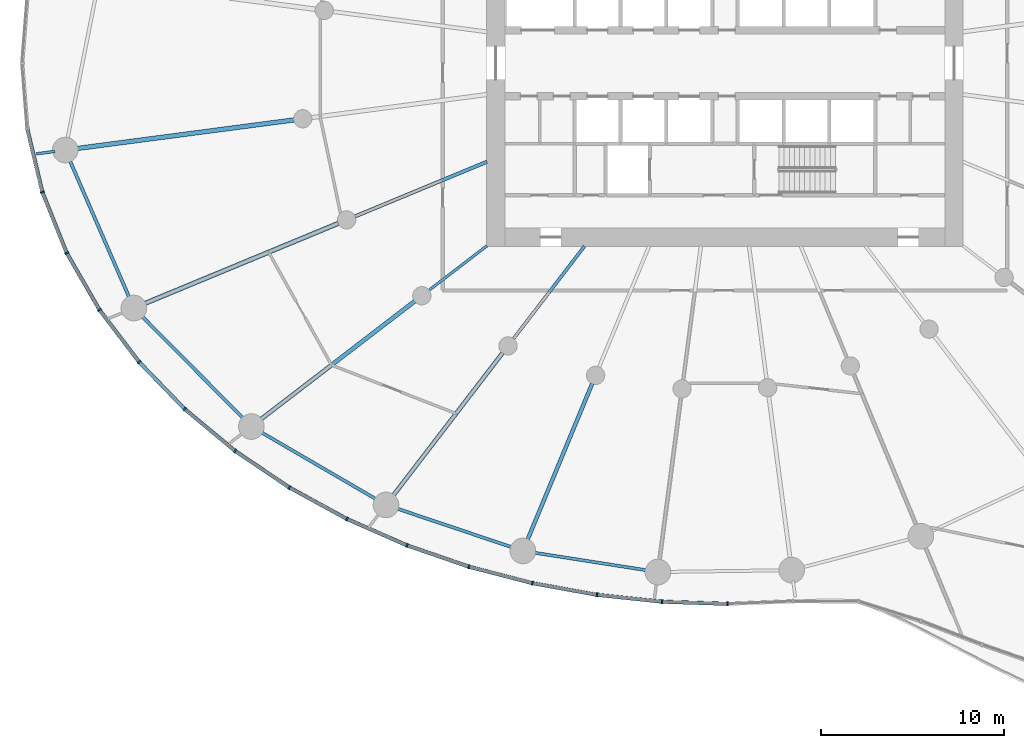
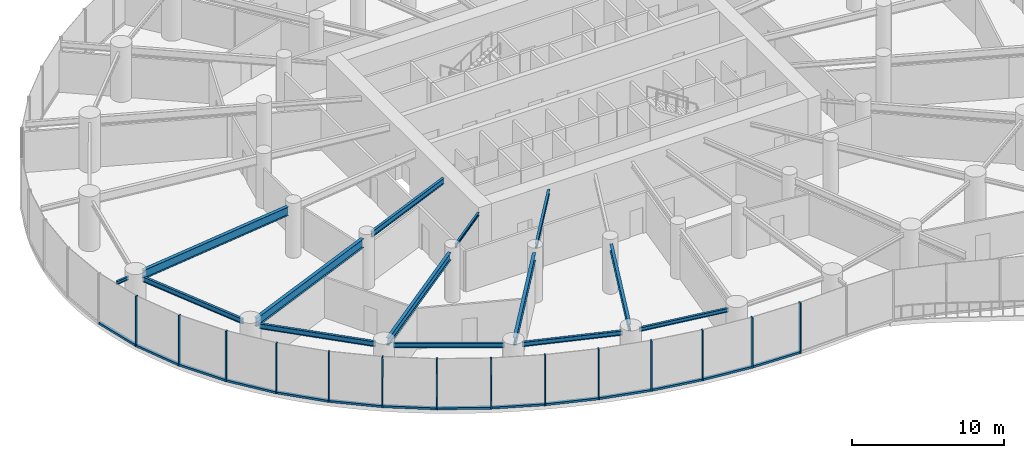
# One storey, part 2 of 24: 28 members, 14 beams, 3 elements without a shape of their own.
"""IFC4 building model written with IfcOpenShell, lengths in metres."""

from ifc_helpers import new_model, si_unit, direction, frame, origin, origin_2d, place, context, subcontext, project, spatial, rectangle, i_section, extrude, source, transform, mapped, material, layer, layer_set, material_profile, profile_set, type_object, element, aggregate, save


model = new_model("IFC4")

# Units and contexts
model_context = context("Model", 3, precision=1e-05, world=origin(), true_north=direction((0.0, 1.0)))
body_context = subcontext(model_context, "Body", "Model", "MODEL_VIEW")
ifc_project = project(units=[si_unit("LENGTHUNIT", "METRE"), si_unit("AREAUNIT", "SQUARE_METRE"), si_unit("VOLUMEUNIT", "CUBIC_METRE"), si_unit("PLANEANGLEUNIT", "RADIAN"), si_unit("MASSUNIT", "GRAM", prefix="KILO")], contexts=[model_context])

# Site, building, storey
site_placement = place(None, origin())
site = spatial("IfcSite", under=ifc_project, at=site_placement, CompositionType="ELEMENT")
building_placement = place(site_placement, origin())
building = spatial("IfcBuilding", under=site, at=building_placement, Name="Spindrift Exchange Tower", CompositionType="ELEMENT")
storey_placement = place(building_placement, frame((0.0, 0.0, 5.0)))
storey = spatial("IfcBuildingStorey", under=building, at=storey_placement, Name="L01", CompositionType="ELEMENT", Elevation=5.0)

# Beams
ifc_material_1 = material(Name="Steel Grade 300", Category="steel")
ifc_material_profile_1 = material_profile(ifc_material_1, i_section(OverallWidth=0.25, OverallDepth=0.699951171875, WebThickness=0.008056640625, FlangeThickness=0.011962890625, at=origin_2d()), Name="700WB115")
ifc_profile_set_1 = profile_set([ifc_material_profile_1], Name="Steel Grade 300")
beam_type_1 = type_object("IfcBeamType", Name="Floor Beam 700WB115 Steel Grade 300", PredefinedType="BEAM", material=ifc_profile_set_1)
shared_shape_1 = source(origin(), body_context, "Body", "SweptSolid", [
    extrude(i_section(OverallWidth=0.25, OverallDepth=0.699951171875, WebThickness=0.008056640625, FlangeThickness=0.011962890625, at=origin_2d()), origin(), (0.0, 0.0, 1.0), 12.00830078125),
])
beam_1_placement = place(storey_placement, frame((28.490234375, 44.90478515625, 3.699951171875), z_axis=(-0.991444950947, -0.130525511844, 0.0), x_axis=(0.130525511844, -0.991444950947, 0.0)))
element("IfcBeam", 1, at=beam_1_placement, inside=storey, type_object=beam_type_1, Name="L01 radial beam R13B", PredefinedType="BEAM", context=body_context, shape_type="MappedRepresentation", body=[
    mapped(shared_shape_1, transform((0.0, 0.0, 0.0), scale=1.0)),
])
ifc_material_profile_2 = material_profile(ifc_material_1, i_section(OverallWidth=0.18994140625, OverallDepth=0.45703125, WebThickness=0.009033203125, FlangeThickness=0.014404296875, FilletRadius=0.013916015625, at=origin_2d()), Name="460UB74.6")
ifc_profile_set_2 = profile_set([ifc_material_profile_2], Name="Steel Grade 300")
beam_type_2 = type_object("IfcBeamType", Name="Floor Beam 460UB74.6 Steel Grade 300", PredefinedType="BEAM", material=ifc_profile_set_2)
shared_shape_2 = source(origin(), body_context, "Body", "SweptSolid", [
    extrude(i_section(OverallWidth=0.18994140625, OverallDepth=0.45703125, WebThickness=0.009033203125, FlangeThickness=0.014404296875, FilletRadius=0.013916015625, at=origin_2d()), origin(), (0.0, 0.0, 1.0), 7.808837890625),
])
beam_2_placement = place(storey_placement, frame((39.0185546875, 42.622802734375, 3.821533203125), z_axis=(-0.92387965154, -0.382683145003, 0.0), x_axis=(0.382683145003, -0.92387965154, 0.0)))
element("IfcBeam", 2, at=beam_2_placement, inside=storey, type_object=beam_type_2, Name="L01 radial beam R14A", PredefinedType="BEAM", context=body_context, shape_type="MappedRepresentation", body=[
    mapped(shared_shape_2, transform((0.0, 0.0, 0.0), scale=1.0)),
])
shared_shape_3 = source(origin(), body_context, "Body", "SweptSolid", [
    extrude(i_section(OverallWidth=0.25, OverallDepth=0.699951171875, WebThickness=0.008056640625, FlangeThickness=0.011962890625, at=origin_2d()), origin(), (0.0, 0.0, 1.0), 11.505859375),
])
beam_3_placement = place(storey_placement, frame((30.917236328125, 39.26708984375, 3.699951171875), z_axis=(-0.923881578419, -0.38267849307, 0.0), x_axis=(0.38267849307, -0.923881578419, 0.0)))
element("IfcBeam", 3, at=beam_3_placement, inside=storey, type_object=beam_type_1, Name="L01 radial beam R14B", PredefinedType="BEAM", context=body_context, shape_type="MappedRepresentation", body=[
    mapped(shared_shape_3, transform((0.0, 0.0, 0.0), scale=1.0)),
])
ifc_material_profile_3 = material_profile(ifc_material_1, i_section(OverallWidth=0.14599609375, OverallDepth=0.251953125, WebThickness=0.006103515625, FlangeThickness=0.008544921875, FilletRadius=0.011962890625, at=origin_2d()), Name="250UB31.4")
ifc_profile_set_3 = profile_set([ifc_material_profile_3], Name="Steel Grade 300")
beam_type_3 = type_object("IfcBeamType", Name="Floor Beam 250UB31.4 Steel Grade 300", PredefinedType="BEAM", material=ifc_profile_set_3)
shared_shape_4 = source(origin(), body_context, "Body", "SweptSolid", [
    extrude(i_section(OverallWidth=0.14599609375, OverallDepth=0.251953125, WebThickness=0.006103515625, FlangeThickness=0.008544921875, FilletRadius=0.011962890625, at=origin_2d()), origin(), (0.0, 0.0, 1.0), 3.99560546875),
])
beam_4_placement = place(storey_placement, frame((39.015869140625, 38.036865234375, 3.924072265625), z_axis=(-0.793352561574, -0.608762443851, 0.0), x_axis=(0.608762443851, -0.793352561574, 0.0)))
element("IfcBeam", 4, at=beam_4_placement, inside=storey, type_object=beam_type_3, Name="L01 radial beam R15A", PredefinedType="BEAM", context=body_context, shape_type="MappedRepresentation", body=[
    mapped(shared_shape_4, transform((0.0, 0.0, 0.0), scale=1.0)),
])
ifc_material_profile_4 = material_profile(ifc_material_1, i_section(OverallWidth=0.22802734375, OverallDepth=0.60693359375, WebThickness=0.01123046875, FlangeThickness=0.017333984375, FilletRadius=0.013916015625, at=origin_2d()), Name="610UB113")
ifc_profile_set_4 = profile_set([ifc_material_profile_4], Name="Steel Grade 300")
beam_type_4 = type_object("IfcBeamType", Name="Floor Beam 610UB113 Steel Grade 300", PredefinedType="BEAM", material=ifc_profile_set_4)
shared_shape_5 = source(origin(), body_context, "Body", "SweptSolid", [
    extrude(i_section(OverallWidth=0.22802734375, OverallDepth=0.60693359375, WebThickness=0.01123046875, FlangeThickness=0.017333984375, FilletRadius=0.013916015625, at=origin_2d()), origin(), (0.0, 0.0, 1.0), 10.66357421875),
])
beam_5_placement = place(storey_placement, frame((35.08447265625, 35.020263671875, 3.74658203125), z_axis=(-0.793357926757, -0.608755451764, 0.0), x_axis=(0.608755451764, -0.793357926757, 0.0)))
element("IfcBeam", 5, at=beam_5_placement, inside=storey, type_object=beam_type_4, Name="L01 radial beam R15B", PredefinedType="BEAM", context=body_context, shape_type="MappedRepresentation", body=[
    mapped(shared_shape_5, transform((0.0, 0.0, 0.0), scale=1.0)),
])
ifc_material_profile_5 = material_profile(ifc_material_1, i_section(OverallWidth=0.172119140625, OverallDepth=0.35888671875, WebThickness=0.008056640625, FlangeThickness=0.012939453125, FilletRadius=0.013916015625, at=origin_2d()), Name="360UB56.7")
ifc_profile_set_5 = profile_set([ifc_material_profile_5], Name="Steel Grade 300")
beam_type_5 = type_object("IfcBeamType", Name="Floor Beam 360UB56.7 Steel Grade 300", PredefinedType="BEAM", material=ifc_profile_set_5)
shared_shape_6 = source(origin(), body_context, "Body", "SweptSolid", [
    extrude(i_section(OverallWidth=0.172119140625, OverallDepth=0.35888671875, WebThickness=0.008056640625, FlangeThickness=0.012939453125, FilletRadius=0.013916015625, at=origin_2d()), origin(), (0.0, 0.0, 1.0), 6.37646484375),
])
beam_6_placement = place(storey_placement, frame((44.3388671875, 38.015869140625, 3.87060546875), z_axis=(-0.608766669952, -0.793349318747, 0.0), x_axis=(0.793349318747, -0.608766669952, 0.0)))
element("IfcBeam", 6, at=beam_6_placement, inside=storey, type_object=beam_type_5, Name="L01 radial beam R16A", PredefinedType="BEAM", context=body_context, shape_type="MappedRepresentation", body=[
    mapped(shared_shape_6, transform((0.0, 0.0, 0.0), scale=1.0)),
])
shared_shape_7 = source(origin(), body_context, "Body", "SweptSolid", [
    extrude(i_section(OverallWidth=0.22802734375, OverallDepth=0.60693359375, WebThickness=0.01123046875, FlangeThickness=0.017333984375, FilletRadius=0.013916015625, at=origin_2d()), origin(), (0.0, 0.0, 1.0), 9.87548828125),
])
beam_7_placement = place(storey_placement, frame((39.872802734375, 32.1953125, 3.74658203125), z_axis=(-0.608772470836, -0.793344867477, 0.0), x_axis=(0.793344867477, -0.608772470836, 0.0)))
element("IfcBeam", 7, at=beam_7_placement, inside=storey, type_object=beam_type_4, Name="L01 radial beam R16B", PredefinedType="BEAM", context=body_context, shape_type="MappedRepresentation", body=[
    mapped(shared_shape_7, transform((0.0, 0.0, 0.0), scale=1.0)),
])
ifc_material_profile_6 = material_profile(ifc_material_1, i_section(OverallWidth=0.208984375, OverallDepth=0.532958984375, WebThickness=0.01025390625, FlangeThickness=0.015625, FilletRadius=0.013916015625, at=origin_2d()), Name="530UB92.4")
ifc_profile_set_6 = profile_set([ifc_material_profile_6], Name="Steel Grade 300")
beam_type_6 = type_object("IfcBeamType", Name="Floor Beam 530UB92.4 Steel Grade 300", PredefinedType="BEAM", material=ifc_profile_set_6)
shared_shape_8 = source(origin(), body_context, "Body", "SweptSolid", [
    extrude(i_section(OverallWidth=0.208984375, OverallDepth=0.532958984375, WebThickness=0.01025390625, FlangeThickness=0.015625, FilletRadius=0.013916015625, at=origin_2d()), origin(), (0.0, 0.0, 1.0), 9.309326171875),
])
beam_8_placement = place(storey_placement, frame((44.76171875, 30.525146484375, 3.783447265625), z_axis=(-0.382685326691, -0.923878747853, 0.0), x_axis=(0.923878747853, -0.382685326691, 0.0)))
element("IfcBeam", 8, at=beam_8_placement, inside=storey, type_object=beam_type_6, Name="L01 radial beam R17B", PredefinedType="BEAM", context=body_context, shape_type="MappedRepresentation", body=[
    mapped(shared_shape_8, transform((0.0, 0.0, 0.0), scale=1.0)),
])
ifc_material_profile_7 = material_profile(ifc_material_1, i_section(OverallWidth=0.14599609375, OverallDepth=0.251953125, WebThickness=0.006103515625, FlangeThickness=0.008544921875, FilletRadius=0.011962890625, at=origin_2d()), Name="250UB31.4")
ifc_profile_set_7 = profile_set([ifc_material_profile_7], Name="Steel Grade 300")
beam_type_7 = type_object("IfcBeamType", Name="Cantilever Beam 250UB31.4 Steel Grade 300", PredefinedType="BEAM", material=ifc_profile_set_7)
shared_shape_9 = source(origin(), body_context, "Body", "SweptSolid", [
    extrude(i_section(OverallWidth=0.14599609375, OverallDepth=0.251953125, WebThickness=0.006103515625, FlangeThickness=0.008544921875, FilletRadius=0.011962890625, at=origin_2d()), origin(), (0.0, 0.0, 1.0), 1.013427734375),
])
beam_9_placement = place(storey_placement, frame((15.4345703125, 43.18603515625, 3.924072265625), z_axis=(-0.991437065727, -0.130585392375, 0.0), x_axis=(0.130585392375, -0.991437065727, 0.0)))
element("IfcBeam", 9, at=beam_9_placement, inside=storey, type_object=beam_type_7, Name="L01 cantilever beam R13T", PredefinedType="BEAM", context=body_context, shape_type="MappedRepresentation", body=[
    mapped(shared_shape_9, transform((0.0, 0.0, 0.0), scale=1.0)),
])
ifc_material_profile_8 = material_profile(ifc_material_1, i_section(OverallWidth=0.177978515625, OverallDepth=0.406005859375, WebThickness=0.0078125, FlangeThickness=0.0126953125, FilletRadius=0.013916015625, at=origin_2d()), Name="410UB59.7")
ifc_profile_set_8 = profile_set([ifc_material_profile_8], Name="Steel Grade 300")
beam_type_8 = type_object("IfcBeamType", Name="Edge Beam 410UB59.7 Steel Grade 300", PredefinedType="SPANDREL", material=ifc_profile_set_8)
shared_shape_10 = source(origin(), body_context, "Body", "SweptSolid", [
    extrude(i_section(OverallWidth=0.177978515625, OverallDepth=0.406005859375, WebThickness=0.0078125, FlangeThickness=0.0126953125, FilletRadius=0.013916015625, at=origin_2d()), origin(), (0.0, 0.0, 1.0), 8.23681640625),
])
beam_10_placement = place(storey_placement, frame((16.240478515625, 42.729736328125, 3.846923828125), z_axis=(0.398186298756, -0.91730456855, 0.0), x_axis=(0.91730456855, 0.398186298756, 0.0)))
element("IfcBeam", 10, at=beam_10_placement, inside=storey, type_object=beam_type_8, Name="L01 edge beam E13", PredefinedType="SPANDREL", context=body_context, shape_type="MappedRepresentation", body=[
    mapped(shared_shape_10, transform((0.0, 0.0, 0.0), scale=1.0)),
])
shared_shape_11 = source(origin(), body_context, "Body", "SweptSolid", [
    extrude(i_section(OverallWidth=0.177978515625, OverallDepth=0.406005859375, WebThickness=0.0078125, FlangeThickness=0.0126953125, FilletRadius=0.013916015625, at=origin_2d()), origin(), (0.0, 0.0, 1.0), 7.947509765625),
])
beam_11_placement = place(storey_placement, frame((20.159423828125, 34.230224609375, 3.846923828125), z_axis=(0.704197895271, -0.710003749494, 0.0), x_axis=(0.710003749494, 0.704197895271, 0.0)))
element("IfcBeam", 11, at=beam_11_placement, inside=storey, type_object=beam_type_8, Name="L01 edge beam E14", PredefinedType="SPANDREL", context=body_context, shape_type="MappedRepresentation", body=[
    mapped(shared_shape_11, transform((0.0, 0.0, 0.0), scale=1.0)),
])
ifc_material_profile_9 = material_profile(ifc_material_1, i_section(OverallWidth=0.172119140625, OverallDepth=0.35888671875, WebThickness=0.008056640625, FlangeThickness=0.012939453125, FilletRadius=0.013916015625, at=origin_2d()), Name="360UB56.7")
ifc_profile_set_9 = profile_set([ifc_material_profile_9], Name="Steel Grade 300")
beam_type_9 = type_object("IfcBeamType", Name="Edge Beam 360UB56.7 Steel Grade 300", PredefinedType="SPANDREL", material=ifc_profile_set_9)
shared_shape_12 = source(origin(), body_context, "Body", "SweptSolid", [
    extrude(i_section(OverallWidth=0.172119140625, OverallDepth=0.35888671875, WebThickness=0.008056640625, FlangeThickness=0.012939453125, FilletRadius=0.013916015625, at=origin_2d()), origin(), (0.0, 0.0, 1.0), 7.33740234375),
])
beam_12_placement = place(storey_placement, frame((26.66552734375, 27.8837890625, 3.87060546875), z_axis=(0.864211826308, -0.503128134047, 0.0), x_axis=(0.503128134047, 0.864211826308, 0.0)))
element("IfcBeam", 12, at=beam_12_placement, inside=storey, type_object=beam_type_9, Name="L01 edge beam E15", PredefinedType="SPANDREL", context=body_context, shape_type="MappedRepresentation", body=[
    mapped(shared_shape_12, transform((0.0, 0.0, 0.0), scale=1.0)),
])
shared_shape_13 = source(origin(), body_context, "Body", "SweptSolid", [
    extrude(i_section(OverallWidth=0.172119140625, OverallDepth=0.35888671875, WebThickness=0.008056640625, FlangeThickness=0.012939453125, FilletRadius=0.013916015625, at=origin_2d()), origin(), (0.0, 0.0, 1.0), 6.72021484375),
])
beam_13_placement = place(storey_placement, frame((34.0576171875, 23.71533203125, 3.87060546875), z_axis=(0.947851749681, -0.318711563372, 0.0), x_axis=(0.318711563372, 0.947851749681, 0.0)))
element("IfcBeam", 13, at=beam_13_placement, inside=storey, type_object=beam_type_9, Name="L01 edge beam E16", PredefinedType="SPANDREL", context=body_context, shape_type="MappedRepresentation", body=[
    mapped(shared_shape_13, transform((0.0, 0.0, 0.0), scale=1.0)),
])
ifc_material_profile_10 = material_profile(ifc_material_1, i_section(OverallWidth=0.1650390625, OverallDepth=0.303955078125, WebThickness=0.006103515625, FlangeThickness=0.01025390625, FilletRadius=0.011474609375, at=origin_2d()), Name="310UB40.4")
ifc_profile_set_10 = profile_set([ifc_material_profile_10], Name="Steel Grade 300")
beam_type_10 = type_object("IfcBeamType", Name="Edge Beam 310UB40.4 Steel Grade 300", PredefinedType="SPANDREL", material=ifc_profile_set_10)
shared_shape_14 = source(origin(), body_context, "Body", "SweptSolid", [
    extrude(i_section(OverallWidth=0.1650390625, OverallDepth=0.303955078125, WebThickness=0.006103515625, FlangeThickness=0.01025390625, FilletRadius=0.011474609375, at=origin_2d()), origin(), (0.0, 0.0, 1.0), 6.297119140625),
])
beam_14_placement = place(storey_placement, frame((41.55029296875, 21.29931640625, 3.89794921875), z_axis=(0.98802902915, -0.154268070436, 0.0), x_axis=(0.154268070436, 0.98802902915, 0.0)))
element("IfcBeam", 14, at=beam_14_placement, inside=storey, type_object=beam_type_10, Name="L01 edge beam E17", PredefinedType="SPANDREL", context=body_context, shape_type="MappedRepresentation", body=[
    mapped(shared_shape_14, transform((0.0, 0.0, 0.0), scale=1.0)),
])

# Curtain wall, members
ifc_material_2 = material(Name="Fritted laminated glass with bronze frame", Category="glass")
ifc_layer = layer(ifc_material_2, 0.219970703125)
ifc_layer_set = layer_set([ifc_layer], Name="PODIUM BRONZE GLAZED WALL")
curtain_wall_type = type_object("IfcCurtainWallType", Name="PODIUM BRONZE GLAZED WALL", PredefinedType="NOTDEFINED", material=ifc_layer_set)
curtain_wall_1_placement = place(storey_placement, origin())
curtain_wall_1 = element("IfcCurtainWall", 15, at=curtain_wall_1_placement, inside=storey, type_object=curtain_wall_type, Name="L01 Podium Bronze Glazed Wall run 7", PredefinedType="NOTDEFINED")
ifc_material_3 = material(Name="Bronze anodised aluminium", Category="aluminium")
ifc_material_profile_11 = material_profile(ifc_material_3, rectangle(XDim=0.090087890625, YDim=0.219970703125, at=origin_2d()), Name="PODIUM BRONZE GLAZED WALL MULLION 90X220")
ifc_profile_set_11 = profile_set([ifc_material_profile_11], Name="Bronze anodised aluminium")
member_type_1 = type_object("IfcMemberType", Name="PODIUM BRONZE GLAZED WALL MULLION 90X220", PredefinedType="MULLION", material=ifc_profile_set_11)
shared_shape_15 = source(origin(), body_context, "Body", "SweptSolid", [
    extrude(rectangle(XDim=0.090087890625, YDim=0.219970703125, at=origin_2d()), origin(), (0.0, 0.0, 1.0), 4.050048828125),
])
member_1_placement = place(storey_placement, frame((14.760009765625, 40.96044921875, 0.0), z_axis=(0.0, 0.0, 1.0), x_axis=(0.302835035371, -0.953042990296, 0.0)))
member_1 = element("IfcMember", 16, at=member_1_placement, type_object=member_type_1, Name="L01 mullion CW-P.39", PredefinedType="MULLION", context=body_context, shape_type="MappedRepresentation", body=[
    mapped(shared_shape_15, transform((0.0, 0.0, 0.0), scale=1.0)),
])
member_2_placement = place(storey_placement, frame((16.091796875, 37.6435546875, 0.0), z_axis=(0.0, 0.0, 1.0), x_axis=(0.436633431388, -0.899639509245, 0.0)))
member_2 = element("IfcMember", 17, at=member_2_placement, type_object=member_type_1, Name="L01 mullion CW-P.40", PredefinedType="MULLION", context=body_context, shape_type="MappedRepresentation", body=[
    mapped(shared_shape_15, transform((0.0, 0.0, 0.0), scale=1.0)),
])
member_3_placement = place(storey_placement, frame((17.873779296875, 34.544677734375, 0.0), z_axis=(0.0, 0.0, 1.0), x_axis=(0.552978572036, -0.833195474585, 0.0)))
member_3 = element("IfcMember", 18, at=member_3_placement, type_object=member_type_1, Name="L01 mullion CW-P.41", PredefinedType="MULLION", context=body_context, shape_type="MappedRepresentation", body=[
    mapped(shared_shape_15, transform((0.0, 0.0, 0.0), scale=1.0)),
])
member_4_placement = place(storey_placement, frame((20.037353515625, 31.698486328125, 0.0), z_axis=(0.0, 0.0, 1.0), x_axis=(0.65153771511, -0.758616244084, 0.0)))
member_4 = element("IfcMember", 19, at=member_4_placement, type_object=member_type_1, Name="L01 mullion CW-P.42", PredefinedType="MULLION", context=body_context, shape_type="MappedRepresentation", body=[
    mapped(shared_shape_15, transform((0.0, 0.0, 0.0), scale=1.0)),
])

curtain_wall_2_placement = place(storey_placement, origin())
curtain_wall_2 = element("IfcCurtainWall", 20, at=curtain_wall_2_placement, inside=storey, type_object=curtain_wall_type, Name="L01 Podium Bronze Glazed Wall run 8", PredefinedType="NOTDEFINED")
member_5_placement = place(storey_placement, frame((22.5244140625, 29.129638671875, 0.0), z_axis=(0.0, 0.0, 1.0), x_axis=(0.733433886036, -0.679760792348, 0.0)))
member_5 = element("IfcMember", 21, at=member_5_placement, type_object=member_type_1, Name="L01 mullion CW-P.43", PredefinedType="MULLION", context=body_context, shape_type="MappedRepresentation", body=[
    mapped(shared_shape_15, transform((0.0, 0.0, 0.0), scale=1.0)),
])
member_6_placement = place(storey_placement, frame((25.27490234375, 26.844482421875, 0.0), z_axis=(0.0, 0.0, 1.0), x_axis=(0.800124993893, -0.5998333053, 0.0)))
member_6 = element("IfcMember", 22, at=member_6_placement, type_object=member_type_1, Name="L01 mullion CW-P.44", PredefinedType="MULLION", context=body_context, shape_type="MappedRepresentation", body=[
    mapped(shared_shape_15, transform((0.0, 0.0, 0.0), scale=1.0)),
])
member_7_placement = place(storey_placement, frame((28.23974609375, 24.84521484375, 0.0), z_axis=(0.0, 0.0, 1.0), x_axis=(0.854176032807, -0.519983946846, 0.0)))
member_7 = element("IfcMember", 23, at=member_7_placement, type_object=member_type_1, Name="L01 mullion CW-P.45", PredefinedType="MULLION", context=body_context, shape_type="MappedRepresentation", body=[
    mapped(shared_shape_15, transform((0.0, 0.0, 0.0), scale=1.0)),
])
member_8_placement = place(storey_placement, frame((31.377685546875, 23.12939453125, 0.0), z_axis=(0.0, 0.0, 1.0), x_axis=(0.897365732399, -0.441287595923, 0.0)))
member_8 = element("IfcMember", 24, at=member_8_placement, type_object=member_type_1, Name="L01 mullion CW-P.46", PredefinedType="MULLION", context=body_context, shape_type="MappedRepresentation", body=[
    mapped(shared_shape_15, transform((0.0, 0.0, 0.0), scale=1.0)),
])
member_9_placement = place(storey_placement, frame((34.65234375, 21.691650390625, 0.0), z_axis=(0.0, 0.0, 1.0), x_axis=(0.931300284622, -0.364252357389, 0.0)))
member_9 = element("IfcMember", 25, at=member_9_placement, type_object=member_type_1, Name="L01 mullion CW-P.47", PredefinedType="MULLION", context=body_context, shape_type="MappedRepresentation", body=[
    mapped(shared_shape_15, transform((0.0, 0.0, 0.0), scale=1.0)),
])
member_10_placement = place(storey_placement, frame((38.03369140625, 20.52587890625, 0.0), z_axis=(0.0, 0.0, 1.0), x_axis=(0.957447231906, -0.288608381921, 0.0)))
member_10 = element("IfcMember", 26, at=member_10_placement, type_object=member_type_1, Name="L01 mullion CW-P.48", PredefinedType="MULLION", context=body_context, shape_type="MappedRepresentation", body=[
    mapped(shared_shape_15, transform((0.0, 0.0, 0.0), scale=1.0)),
])

curtain_wall_3_placement = place(storey_placement, origin())
curtain_wall_3 = element("IfcCurtainWall", 27, at=curtain_wall_3_placement, inside=storey, type_object=curtain_wall_type, Name="L01 Podium Bronze Glazed Wall run 9", PredefinedType="NOTDEFINED")
member_11_placement = place(storey_placement, frame((41.495849609375, 19.62890625, 0.0), z_axis=(0.0, 0.0, 1.0), x_axis=(0.976764175529, -0.214316927477, 0.0)))
member_11 = element("IfcMember", 28, at=member_11_placement, type_object=member_type_1, Name="L01 mullion CW-P.49", PredefinedType="MULLION", context=body_context, shape_type="MappedRepresentation", body=[
    mapped(shared_shape_15, transform((0.0, 0.0, 0.0), scale=1.0)),
])
member_12_placement = place(storey_placement, frame((45.015869140625, 18.993896484375, 0.0), z_axis=(0.0, 0.0, 1.0), x_axis=(0.989964616675, -0.14131545468, 0.0)))
member_12 = element("IfcMember", 29, at=member_12_placement, type_object=member_type_1, Name="L01 mullion CW-P.50", PredefinedType="MULLION", context=body_context, shape_type="MappedRepresentation", body=[
    mapped(shared_shape_15, transform((0.0, 0.0, 0.0), scale=1.0)),
])
member_13_placement = place(storey_placement, frame((48.57275390625, 18.61865234375, 0.0), z_axis=(0.0, 0.0, 1.0), x_axis=(0.997617235938, -0.06899167022, 0.0)))
member_13 = element("IfcMember", 30, at=member_13_placement, type_object=member_type_1, Name="L01 mullion CW-P.51", PredefinedType="MULLION", context=body_context, shape_type="MappedRepresentation", body=[
    mapped(shared_shape_15, transform((0.0, 0.0, 0.0), scale=1.0)),
])
member_14_placement = place(storey_placement, frame((52.1474609375, 18.500732421875, 0.0), z_axis=(0.0, 0.0, 1.0), x_axis=(0.999995645197, 0.002951200978, 0.0)))
member_14 = element("IfcMember", 31, at=member_14_placement, type_object=member_type_1, Name="L01 mullion CW-P.52", PredefinedType="MULLION", context=body_context, shape_type="MappedRepresentation", body=[
    mapped(shared_shape_15, transform((0.0, 0.0, 0.0), scale=1.0)),
])

# Member
ifc_material_profile_12 = material_profile(ifc_material_3, rectangle(XDim=0.199951171875, YDim=0.159912109375, at=origin_2d()), Name="PODIUM BRONZE GLAZED WALL TRANSOM 200X160")
ifc_profile_set_12 = profile_set([ifc_material_profile_12], Name="Bronze anodised aluminium")
member_type_2 = type_object("IfcMemberType", Name="PODIUM BRONZE GLAZED WALL TRANSOM 200X160", PredefinedType="USERDEFINED", material=ifc_profile_set_12)
shared_shape_16 = source(origin(), body_context, "Body", "SweptSolid", [
    extrude(rectangle(XDim=0.199951171875, YDim=0.159912109375, at=origin_2d()), origin(), (0.0, 0.0, 1.0), 3.486083984375),
])
member_15_placement = place(storey_placement, frame((25.31201171875, 26.8193359375, 0.080078125), z_axis=(0.829118935983, -0.559072258295, 0.0), x_axis=(0.559072258295, 0.829118935983, 0.0)))
member_15 = element("IfcMember", 32, at=member_15_placement, type_object=member_type_2, Name="L01 transom CW-P.44", ObjectType="TRANSOM", PredefinedType="USERDEFINED", context=body_context, shape_type="MappedRepresentation", body=[
    mapped(shared_shape_16, transform((0.0, 0.0, 0.0), scale=1.0)),
])

shared_shape_17 = source(origin(), body_context, "Body", "SweptSolid", [
    extrude(rectangle(XDim=0.199951171875, YDim=0.159912109375, at=origin_2d()), origin(), (0.0, 0.0, 1.0), 3.48583984375),
])
member_16_placement = place(storey_placement, frame((22.55908203125, 29.100830078125, 0.080078125), z_axis=(0.769138998167, -0.639081529618, 0.0), x_axis=(0.639081529618, 0.769138998167, 0.0)))
member_16 = element("IfcMember", 33, at=member_16_placement, type_object=member_type_2, Name="L01 transom CW-P.43", ObjectType="TRANSOM", PredefinedType="USERDEFINED", context=body_context, shape_type="MappedRepresentation", body=[
    mapped(shared_shape_17, transform((0.0, 0.0, 0.0), scale=1.0)),
])

shared_shape_18 = source(origin(), body_context, "Body", "SweptSolid", [
    extrude(rectangle(XDim=0.199951171875, YDim=0.159912109375, at=origin_2d()), origin(), (0.0, 0.0, 1.0), 3.486328125),
])
member_17_placement = place(storey_placement, frame((28.279296875, 24.823486328125, 0.080078125), z_axis=(0.877394630692, -0.479769384218, 0.0), x_axis=(0.479769384218, 0.877394630692, 0.0)))
member_17 = element("IfcMember", 34, at=member_17_placement, type_object=member_type_2, Name="L01 transom CW-P.45", ObjectType="TRANSOM", PredefinedType="USERDEFINED", context=body_context, shape_type="MappedRepresentation", body=[
    mapped(shared_shape_18, transform((0.0, 0.0, 0.0), scale=1.0)),
])

shared_shape_19 = source(origin(), body_context, "Body", "SweptSolid", [
    extrude(rectangle(XDim=0.199951171875, YDim=0.159912109375, at=origin_2d()), origin(), (0.0, 0.0, 1.0), 3.48681640625),
])
member_18_placement = place(storey_placement, frame((38.0771484375, 20.5146484375, 0.080078125), z_axis=(0.968035317166, -0.250813924491, 0.0), x_axis=(0.250813924491, 0.968035317166, 0.0)))
member_18 = element("IfcMember", 35, at=member_18_placement, type_object=member_type_2, Name="L01 transom CW-P.48", ObjectType="TRANSOM", PredefinedType="USERDEFINED", context=body_context, shape_type="MappedRepresentation", body=[
    mapped(shared_shape_19, transform((0.0, 0.0, 0.0), scale=1.0)),
])

member_19_placement = place(storey_placement, frame((48.61767578125, 18.6171875, 0.080078125), z_axis=(0.999456041254, -0.032979108549, 0.0), x_axis=(0.032979108549, 0.999456041254, 0.0)))
member_19 = element("IfcMember", 36, at=member_19_placement, type_object=member_type_2, Name="L01 transom CW-P.51", ObjectType="TRANSOM", PredefinedType="USERDEFINED", context=body_context, shape_type="MappedRepresentation", body=[
    mapped(shared_shape_19, transform((0.0, 0.0, 0.0), scale=1.0)),
])

shared_shape_20 = source(origin(), body_context, "Body", "SweptSolid", [
    extrude(rectangle(XDim=0.199951171875, YDim=0.159912109375, at=origin_2d()), origin(), (0.0, 0.0, 1.0), 3.484619140625),
])
member_20_placement = place(storey_placement, frame((16.114013671875, 37.6044921875, 0.080078125), z_axis=(0.49855141706, -0.866860129748, 0.0), x_axis=(0.866860129748, 0.49855141706, 0.0)))
member_20 = element("IfcMember", 37, at=member_20_placement, type_object=member_type_2, Name="L01 transom CW-P.40", ObjectType="TRANSOM", PredefinedType="USERDEFINED", context=body_context, shape_type="MappedRepresentation", body=[
    mapped(shared_shape_20, transform((0.0, 0.0, 0.0), scale=1.0)),
])

shared_shape_21 = source(origin(), body_context, "Body", "SweptSolid", [
    extrude(rectangle(XDim=0.199951171875, YDim=0.159912109375, at=origin_2d()), origin(), (0.0, 0.0, 1.0), 3.486572265625),
])
member_21_placement = place(storey_placement, frame((31.418701171875, 23.111328125, 0.080078125), z_axis=(0.915635857607, -0.402008676852, 0.0), x_axis=(0.402008676852, 0.915635857607, 0.0)))
member_21 = element("IfcMember", 38, at=member_21_placement, type_object=member_type_2, Name="L01 transom CW-P.46", ObjectType="TRANSOM", PredefinedType="USERDEFINED", context=body_context, shape_type="MappedRepresentation", body=[
    mapped(shared_shape_21, transform((0.0, 0.0, 0.0), scale=1.0)),
])

member_22_placement = place(storey_placement, frame((34.69482421875, 21.677001953125, 0.080078125), z_axis=(0.945405719622, -0.325895727659, 0.0), x_axis=(0.325895727659, 0.945405719622, 0.0)))
member_22 = element("IfcMember", 39, at=member_22_placement, type_object=member_type_2, Name="L01 transom CW-P.47", ObjectType="TRANSOM", PredefinedType="USERDEFINED", context=body_context, shape_type="MappedRepresentation", body=[
    mapped(shared_shape_21, transform((0.0, 0.0, 0.0), scale=1.0)),
])

aggregate(curtain_wall_2, [member_5, member_16, member_6, member_15, member_7, member_17, member_8, member_21, member_9, member_22, member_10, member_18])

member_23_placement = place(storey_placement, frame((41.540283203125, 19.620849609375, 0.080078125), z_axis=(0.984118796485, -0.177511110651, 0.0), x_axis=(0.177511110651, 0.984118796485, 0.0)))
member_23 = element("IfcMember", 40, at=member_23_placement, type_object=member_type_2, Name="L01 transom CW-P.49", ObjectType="TRANSOM", PredefinedType="USERDEFINED", context=body_context, shape_type="MappedRepresentation", body=[
    mapped(shared_shape_21, transform((0.0, 0.0, 0.0), scale=1.0)),
])

member_24_placement = place(storey_placement, frame((45.060546875, 18.9892578125, 0.080078125), z_axis=(0.994475869091, -0.104965450484, 0.0), x_axis=(0.104965450484, 0.994475869091, 0.0)))
member_24 = element("IfcMember", 41, at=member_24_placement, type_object=member_type_2, Name="L01 transom CW-P.50", ObjectType="TRANSOM", PredefinedType="USERDEFINED", context=body_context, shape_type="MappedRepresentation", body=[
    mapped(shared_shape_21, transform((0.0, 0.0, 0.0), scale=1.0)),
])

aggregate(curtain_wall_3, [member_11, member_23, member_12, member_24, member_13, member_19, member_14])

shared_shape_22 = source(origin(), body_context, "Body", "SweptSolid", [
    extrude(rectangle(XDim=0.199951171875, YDim=0.159912109375, at=origin_2d()), origin(), (0.0, 0.0, 1.0), 3.485595703125),
])
member_25_placement = place(storey_placement, frame((20.068603515625, 31.666259765625, 0.080078125), z_axis=(0.695597586919, -0.718431623102, 0.0), x_axis=(0.718431623102, 0.695597586919, 0.0)))
member_25 = element("IfcMember", 42, at=member_25_placement, type_object=member_type_2, Name="L01 transom CW-P.42", ObjectType="TRANSOM", PredefinedType="USERDEFINED", context=body_context, shape_type="MappedRepresentation", body=[
    mapped(shared_shape_22, transform((0.0, 0.0, 0.0), scale=1.0)),
])

shared_shape_23 = source(origin(), body_context, "Body", "SweptSolid", [
    extrude(rectangle(XDim=0.199951171875, YDim=0.159912109375, at=origin_2d()), origin(), (0.0, 0.0, 1.0), 3.485107421875),
])
member_26_placement = place(storey_placement, frame((17.901123046875, 34.5087890625, 0.080078125), z_axis=(0.605188057634, -0.796082542766, 0.0), x_axis=(0.796082542766, 0.605188057634, 0.0)))
member_26 = element("IfcMember", 43, at=member_26_placement, type_object=member_type_2, Name="L01 transom CW-P.41", ObjectType="TRANSOM", PredefinedType="USERDEFINED", context=body_context, shape_type="MappedRepresentation", body=[
    mapped(shared_shape_23, transform((0.0, 0.0, 0.0), scale=1.0)),
])

shared_shape_24 = source(origin(), body_context, "Body", "SweptSolid", [
    extrude(rectangle(XDim=0.199951171875, YDim=0.159912109375, at=origin_2d()), origin(), (0.0, 0.0, 1.0), 3.484375),
])
member_27_placement = place(storey_placement, frame((14.776611328125, 40.918701171875, 0.080078125), z_axis=(0.372622582796, -0.927982979796, 0.0), x_axis=(0.927982979796, 0.372622582796, 0.0)))
member_27 = element("IfcMember", 44, at=member_27_placement, type_object=member_type_2, Name="L01 transom CW-P.39", ObjectType="TRANSOM", PredefinedType="USERDEFINED", context=body_context, shape_type="MappedRepresentation", body=[
    mapped(shared_shape_24, transform((0.0, 0.0, 0.0), scale=1.0)),
])

shared_shape_25 = source(origin(), body_context, "Body", "SweptSolid", [
    extrude(rectangle(XDim=0.199951171875, YDim=0.159912109375, at=origin_2d()), origin(), (0.0, 0.0, 1.0), 3.483642578125),
])
member_28_placement = place(storey_placement, frame((13.943359375, 44.3935546875, 0.080078125), z_axis=(0.231405768581, -0.972857322667, 0.0), x_axis=(0.972857322667, 0.231405768581, 0.0)))
member_28 = element("IfcMember", 45, at=member_28_placement, type_object=member_type_2, Name="L01 transom CW-P.38", ObjectType="TRANSOM", PredefinedType="USERDEFINED", context=body_context, shape_type="MappedRepresentation", body=[
    mapped(shared_shape_25, transform((0.0, 0.0, 0.0), scale=1.0)),
])

aggregate(curtain_wall_1, [member_28, member_1, member_27, member_2, member_20, member_3, member_26, member_4, member_25])

save(model, "model.ifc")
